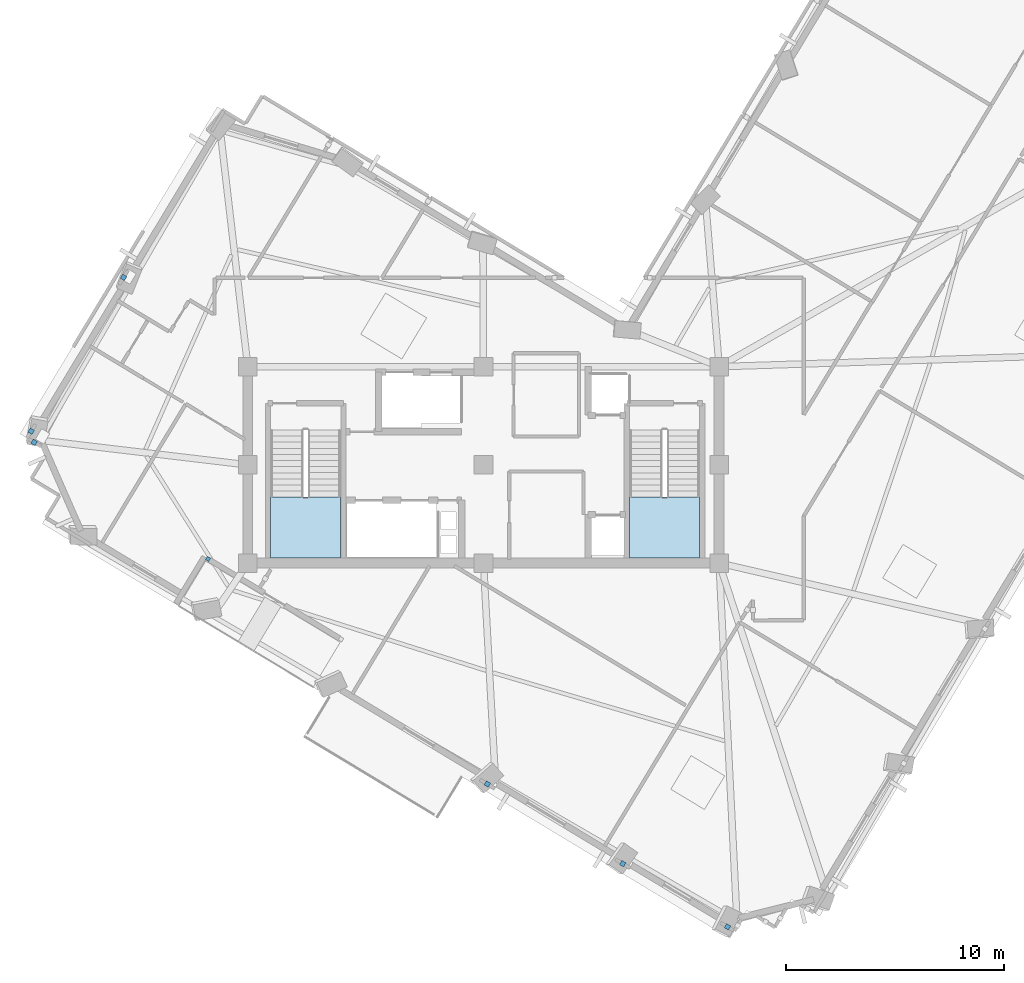
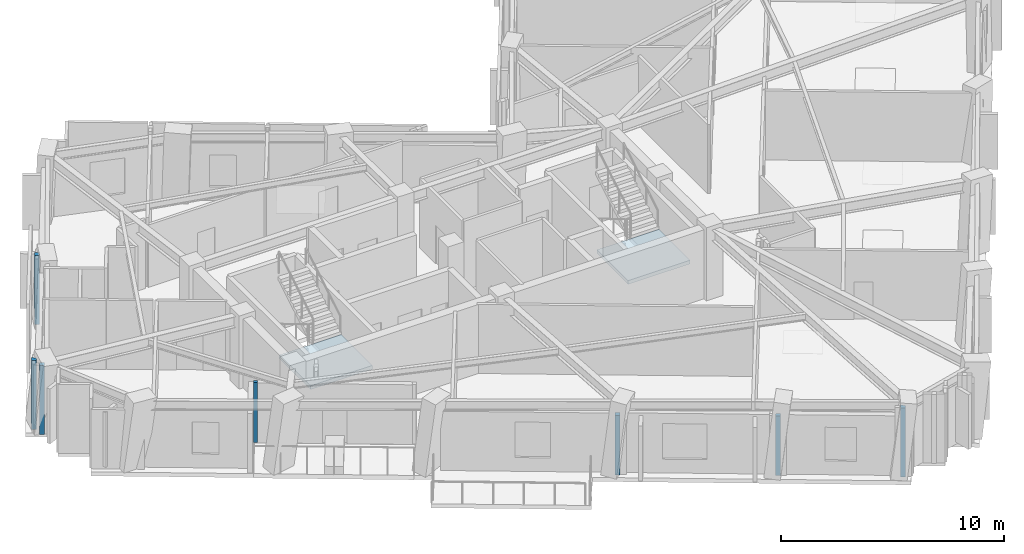
# One storey, part 3 of 12: 7 plates, 2 slabs, 2 elements without a shape of their own.
"""IFC4 building model written with IfcOpenShell, lengths in metres."""

import ifcopenshell
import ifcopenshell.guid

model = None  # the IFC model being written
_history = None  # IfcOwnerHistory: only IFC2X3 demands one
_inside = {}  # id of a spatial element -> (the spatial element, [elements in it])
_under = {}  # id of a project, library or spatial element -> (it, [spatial elements below it])
_declared = {}  # id of a project -> (the project, [libraries it declares])
_typed = {}  # id of a type object -> (the type object, [elements of that type])
_made_of = {}  # id of a material, layer set ... -> (it, [elements and type objects made of it])


def new_model(schema):
    """Start an empty IFC model of exactly this schema.

    Asked for "IFC4X3", IfcOpenShell would pick the latest addendum, in which some entities
    have other attributes; the version numbers below select the first issue.
    IFC2X3 requires an IfcOwnerHistory on every rooted entity: one is made here for all.
    """
    global model, _history
    if schema == "IFC4X3":
        model = ifcopenshell.file(schema_version=(4, 3, 0, 0))
    else:
        model = ifcopenshell.file(schema=schema)
    _inside.clear()
    _under.clear()
    _declared.clear()
    _typed.clear()
    _made_of.clear()
    _history = None
    if model.schema == "IFC2X3":
        org = make("IfcOrganization", Name="unknown")
        user = make(
            "IfcPersonAndOrganization",
            ThePerson=make("IfcPerson", FamilyName="unknown"),
            TheOrganization=org,
        )
        app = make(
            "IfcApplication",
            ApplicationDeveloper=org,
            Version="unknown",
            ApplicationFullName="unknown",
            ApplicationIdentifier="unknown",
        )
        _history = make(
            "IfcOwnerHistory",
            OwningUser=user,
            OwningApplication=app,
            ChangeAction="ADDED",
            CreationDate=0,
        )
    return model


def make(cls, **values):
    """One entity of the class cls with the attributes given. An attribute that is None is left unset."""
    return model.create_entity(
        cls, **{name: value for name, value in values.items() if value is not None}
    )


def rooted(cls, **values):
    """An entity with a GlobalId (a new one), such as an element, a storey or a relation."""
    return make(cls, GlobalId=ifcopenshell.guid.new(), OwnerHistory=_history, **values)


def si_unit(unit_type, name, prefix=None):
    """IfcSIUnit, for example si_unit("LENGTHUNIT", "METRE", prefix="MILLI")."""
    return make("IfcSIUnit", UnitType=unit_type, Prefix=prefix, Name=name)


def assignment(units):
    """IfcUnitAssignment: the units of a project."""
    return None if units is None else make("IfcUnitAssignment", Units=units)


def point(xyz):
    """IfcCartesianPoint."""
    return None if xyz is None else make("IfcCartesianPoint", Coordinates=xyz)


def direction(xyz):
    """IfcDirection."""
    return None if xyz is None else make("IfcDirection", DirectionRatios=xyz)


def frame(location, z_axis=None, x_axis=None):
    """IfcAxis2Placement3D, a coordinate frame: its origin and axes. An axis left out is left unset."""
    return make(
        "IfcAxis2Placement3D",
        Location=point(location),
        Axis=direction(z_axis),
        RefDirection=direction(x_axis),
    )


def frame_2d(location, x_axis=None):
    """IfcAxis2Placement2D, a coordinate frame in the plane: its origin and x axis."""
    return make(
        "IfcAxis2Placement2D", Location=point(location), RefDirection=direction(x_axis)
    )


def origin():
    """The frame at (0, 0, 0) with its axes left unset."""
    return frame((0.0, 0.0, 0.0))


def origin_2d():
    """The frame at (0, 0) in the plane with its x axis left unset."""
    return frame_2d((0.0, 0.0))


def place(relative_to, where):
    """IfcLocalPlacement: puts the frame where relative to a parent placement (None: the world)."""
    return make(
        "IfcLocalPlacement", PlacementRelTo=relative_to, RelativePlacement=where
    )


def context(
    kind, dimensions, precision=None, world=None, true_north=None, identifier=None
):
    """IfcGeometricRepresentationContext, for example the 3D "Model" context."""
    return make(
        "IfcGeometricRepresentationContext",
        ContextIdentifier=identifier,
        ContextType=kind,
        CoordinateSpaceDimension=dimensions,
        Precision=precision,
        WorldCoordinateSystem=world,
        TrueNorth=true_north,
    )


def subcontext(parent, identifier, kind, view, scale=None):
    """IfcGeometricRepresentationSubContext, for example "Body" below "Model"."""
    return make(
        "IfcGeometricRepresentationSubContext",
        ContextIdentifier=identifier,
        ContextType=kind,
        ParentContext=parent,
        TargetScale=scale,
        TargetView=view,
    )


def project(units=None, contexts=None):
    """IfcProject with its units and contexts."""
    return rooted(
        "IfcProject",
        Name="project",
        RepresentationContexts=contexts,
        UnitsInContext=assignment(units),
    )


def spatial(cls, under=None, at=None, **own):
    """A site, building, storey or space (cls), placed at a placement, below another one or the project."""
    s = rooted(cls, ObjectPlacement=at, **own)
    if under is not None:
        _under.setdefault(under.id(), (under, []))[1].append(s)
    return s


def polyline(points):
    """IfcPolyline through the points."""
    return make("IfcPolyline", Points=[point(p) for p in points])


def profile(cls, at=None, kind="AREA", **sizes):
    """A parametric profile (cls). Its sizes go by their IFC names, for example OverallWidth=200.0."""
    return make(cls, ProfileType=kind, Position=at, **sizes)


def rectangle(**sizes):
    """IfcRectangleProfileDef."""
    return profile("IfcRectangleProfileDef", **sizes)


def outline(outer, holes=None, kind="AREA"):
    """IfcArbitraryClosedProfileDef: a profile drawn as a closed curve; with holes, ...WithVoids."""
    if holes is None:
        return make("IfcArbitraryClosedProfileDef", ProfileType=kind, OuterCurve=outer)
    return make(
        "IfcArbitraryProfileDefWithVoids",
        ProfileType=kind,
        OuterCurve=outer,
        InnerCurves=holes,
    )


def extrude(swept, where, along, depth):
    """IfcExtrudedAreaSolid: the profile swept, set in the frame where, extruded along a direction by depth."""
    return make(
        "IfcExtrudedAreaSolid",
        SweptArea=swept,
        Position=where,
        ExtrudedDirection=direction(along),
        Depth=depth,
    )


def shape(context_of_items, identifier, shape_type, items):
    """IfcShapeRepresentation: the items that make up one representation, for example the "Body"."""
    return make(
        "IfcShapeRepresentation",
        ContextOfItems=context_of_items,
        RepresentationIdentifier=identifier,
        RepresentationType=shape_type,
        Items=items,
    )


def material(Name=None, Category=None):
    """IfcMaterial."""
    return make("IfcMaterial", Name=Name, Category=Category)


def layer(
    of_material, thickness, ventilated=None, Name=None, Category=None, Priority=None
):
    """IfcMaterialLayer: one layer of a wall or slab, of a material (None: an air gap)."""
    return make(
        "IfcMaterialLayer",
        Material=of_material,
        LayerThickness=thickness,
        IsVentilated=ventilated,
        Name=Name,
        Category=Category,
        Priority=Priority,
    )


def layer_set(layers, Name=None):
    """IfcMaterialLayerSet."""
    return make("IfcMaterialLayerSet", MaterialLayers=layers, LayerSetName=Name)


def made_of(thing, what):
    """Note that an element or type object is made of a material, layer set ...; save() writes the relation."""
    if what is not None:
        _made_of.setdefault(what.id(), (what, []))[1].append(thing)
    return thing


def type_object(cls, material=None, **own):
    """A type object (cls), such as IfcWallType, which elements share."""
    return made_of(rooted(cls, **own), material)


def element(
    cls,
    number,
    at=None,
    inside=None,
    cuts=None,
    type_object=None,
    material=None,
    context=None,
    identifier="Body",
    shape_type=None,
    held_by="IfcProductDefinitionShape",
    body=None,
    shapes=None,
    **own,
):
    """One element of the class cls, such as IfcWall. Its Tag is "e" and its number.

    at: its placement. inside: the storey or other place that contains it. cuts: it is an
    opening in that element (IfcRelVoidsElement). A single representation is given by context,
    identifier, shape_type and body (its items); several are given by shapes. held_by: the class
    of the entity that holds the representations. save() writes the other relations.
    """
    e = rooted(cls, Tag="e%d" % number, ObjectPlacement=at, **own)
    if body is not None:
        shapes = [shape(context, identifier, shape_type, body)]
    if shapes is not None:
        e.Representation = make(held_by, Representations=shapes)
    if inside is not None:
        _inside.setdefault(inside.id(), (inside, []))[1].append(e)
    if cuts is not None:
        rooted(
            "IfcRelVoidsElement", RelatingBuildingElement=cuts, RelatedOpeningElement=e
        )
    if type_object is not None:
        _typed.setdefault(type_object.id(), (type_object, []))[1].append(e)
    return made_of(e, material)


def aggregate(whole, parts):
    """IfcRelAggregates: a whole, such as a stair, and the parts it consists of."""
    return rooted("IfcRelAggregates", RelatingObject=whole, RelatedObjects=parts)


def save(model, path):
    """Write the relations noted so far, then the file.

    IfcRelAggregates (storeys below a building ...), IfcRelContainedInSpatialStructure (elements
    in a storey), IfcRelDefinesByType, IfcRelAssociatesMaterial and IfcRelDeclares: one each for
    every whole, place, type object, material and project.
    """
    for whole, parts in _under.values():
        aggregate(whole, parts)
    for where, things in _inside.values():
        rooted(
            "IfcRelContainedInSpatialStructure",
            RelatedElements=things,
            RelatingStructure=where,
        )
    for kind, things in _typed.values():
        rooted("IfcRelDefinesByType", RelatedObjects=things, RelatingType=kind)
    for what, things in _made_of.values():
        rooted("IfcRelAssociatesMaterial", RelatedObjects=things, RelatingMaterial=what)
    for by, libraries in _declared.values():
        rooted("IfcRelDeclares", RelatingContext=by, RelatedDefinitions=libraries)
    model.write(path)


model = new_model("IFC4")

# Units and contexts
model_context = context("Model", 3, precision=1e-05, world=origin(), true_north=direction((0.0, 1.0)))
body_context = subcontext(model_context, "Body", "Model", "MODEL_VIEW")
ifc_project = project(units=[si_unit("LENGTHUNIT", "METRE"), si_unit("AREAUNIT", "SQUARE_METRE"), si_unit("VOLUMEUNIT", "CUBIC_METRE"), si_unit("PLANEANGLEUNIT", "RADIAN"), si_unit("MASSUNIT", "GRAM", prefix="KILO")], contexts=[model_context])

# Site, building, storey
site_placement = place(None, origin())
site = spatial("IfcSite", under=ifc_project, at=site_placement, CompositionType="ELEMENT")
building_placement = place(site_placement, origin())
building = spatial("IfcBuilding", under=site, at=building_placement, Name="Gaonmaruhae Medical Tower", CompositionType="ELEMENT")
storey_placement = place(building_placement, frame((0.0, 0.0, 276.60009765625)))
storey = spatial("IfcBuildingStorey", under=building, at=storey_placement, Name="L66", CompositionType="ELEMENT", Elevation=276.60009765625)

# Plates
ifc_material_1 = material(Name="Anodised aluminium 6063-T6", Category="aluminium")
ifc_layer_1 = layer(ifc_material_1, 0.011962890625)
ifc_layer_set_1 = layer_set([ifc_layer_1], Name="Anodised aluminium 6063-T6")
plate_type = type_object("IfcPlateType", Name="PP-01 Interior Partition Corner Stiffener Plate", PredefinedType="SHEET", material=ifc_layer_set_1)
plate_1_placement = place(storey_placement, frame((12.177490234375, 7.989013671875, 0.0), z_axis=(0.0, 0.0, 1.0), x_axis=(-0.8562670846, 0.516533328867, 0.0)))
element("IfcPlate", 1, at=plate_1_placement, inside=storey, type_object=plate_type, Name="L66 Partition End Jamb Post Plate PLT-L66-ENDP-TERB-1", PredefinedType="SHEET", context=body_context, shape_type="SweptSolid", body=[
    extrude(rectangle(XDim=0.179931640625, YDim=0.179931640625, at=origin_2d()), origin(), (0.0, 0.0, 1.0), 3.264892578125),
])
plate_2_placement = place(storey_placement, frame((35.982421875, -8.869384765625, 0.0), z_axis=(0.0, 0.0, 1.0), x_axis=(-0.856050644512, 0.516891955858, 0.0)))
element("IfcPlate", 2, at=plate_2_placement, inside=storey, type_object=plate_type, Name="L66 Partition Corner Stiffener Plate PLT-L66-JGP-PW010", PredefinedType="SHEET", context=body_context, shape_type="SweptSolid", body=[
    extrude(rectangle(XDim=0.219970703125, YDim=0.219970703125, at=origin_2d()), origin(), (0.0, 0.0, 1.0), 3.780029296875),
])
for number, where, z_axis, x_axis, name in (
    (3, (31.18310546875, -5.97509765625, 0.0), (0.0, 0.0, 1.0), (-0.855870163032, 0.517190742408, 0.0), "L66 Partition Corner Stiffener Plate PLT-L66-JGP-PW011"),
    (4, (24.97705078125, -2.324462890625, 0.0), (0.0, 0.0, 1.0), (-0.856032601057, 0.516921837348, 0.0), "L66 Partition Corner Stiffener Plate PLT-L66-JGP-PW037"),
):
    element("IfcPlate", number, at=place(storey_placement, frame(where, z_axis=z_axis, x_axis=x_axis)), inside=storey, type_object=plate_type, Name=name, PredefinedType="SHEET", context=body_context, shape_type="SweptSolid", body=[
        extrude(rectangle(XDim=0.219970703125, YDim=0.219970703125, at=origin_2d()), origin(), (0.0, 0.0, 1.0), 3.264892578125),
    ])
for number, where, z_axis, x_axis, name in (
    (5, (4.2080078125, 13.33447265625, 0.0), (0.0, 0.0, 1.0), (-0.856429316074, 0.516264299143, 0.0), "L66 Partition Corner Stiffener Plate PLT-L66-JGP-PW043"),
    (6, (4.075927734375, 13.841064453125, 0.0), (0.0, 0.0, 1.0), (0.516906896682, 0.856041622915, 0.0), "L66 Partition Corner Stiffener Plate PLT-L66-JGP-PW044"),
    (7, (8.306396484375, 20.89306640625, 0.0), (0.0, 0.0, 1.0), (0.515486816038, 0.85689750991, 0.0), "L66 Partition Corner Stiffener Plate PLT-L66-JGP-PW072"),
):
    element("IfcPlate", number, at=place(storey_placement, frame(where, z_axis=z_axis, x_axis=x_axis)), inside=storey, type_object=plate_type, Name=name, PredefinedType="SHEET", context=body_context, shape_type="SweptSolid", body=[
        extrude(rectangle(XDim=0.219970703125, YDim=0.219970703125, at=origin_2d()), origin(), (0.0, 0.0, 1.0), 3.780029296875),
    ])

# Stair, slab
ifc_material_2 = material(Name="Concrete C40/50", Category="concrete")
stair_type = type_object("IfcStairType", Name="ST-T1 Primary Core Escape Dogleg Stair", PredefinedType="TWO_QUARTER_TURN_STAIR", material=ifc_material_2)
stair_1_placement = place(storey_placement, origin())
stair_1 = element("IfcStair", 8, at=stair_1_placement, inside=storey, type_object=stair_type, Name="L66 Protected Escape Stair ST-01", PredefinedType="TWO_QUARTER_TURN_STAIR")
ifc_layer_2 = layer(ifc_material_2, 0.199951171875)
ifc_layer_set_2 = layer_set([ifc_layer_2], Name="Concrete C40/50")
slab_type = type_object("IfcSlabType", Name="SL-200 Stair & Ramp Intermediate Concrete Landing", PredefinedType="LANDING", material=ifc_layer_set_2)
slab_1_placement = place(storey_placement, frame((0.0, 0.0, 1.7998046875)))
slab_1 = element("IfcSlab", 9, at=slab_1_placement, type_object=slab_type, Name="ST-01 landing 1", PredefinedType="LANDING", context=body_context, shape_type="SweptSolid", body=[
    extrude(outline(polyline([(15.050048828125, 10.820068359375), (15.050048828125, 8.029052734375), (18.25, 8.029052734375), (18.25, 10.820068359375), (15.050048828125, 10.820068359375)])), origin(), (0.0, 0.0, 1.0), 0.2001953125),
])
aggregate(stair_1, [slab_1])

stair_2_placement = place(storey_placement, origin())
stair_2 = element("IfcStair", 10, at=stair_2_placement, inside=storey, type_object=stair_type, Name="L66 Protected Escape Stair ST-02", PredefinedType="TWO_QUARTER_TURN_STAIR")
slab_2_placement = place(storey_placement, frame((0.0, 0.0, 1.7998046875)))
slab_2 = element("IfcSlab", 11, at=slab_2_placement, type_object=slab_type, Name="ST-02 landing 1", PredefinedType="LANDING", context=body_context, shape_type="SweptSolid", body=[
    extrude(outline(polyline([(31.5, 10.820068359375), (31.5, 8.029052734375), (34.699951171875, 8.029052734375), (34.699951171875, 10.820068359375), (31.5, 10.820068359375)])), origin(), (0.0, 0.0, 1.0), 0.2001953125),
])
aggregate(stair_2, [slab_2])

save(model, "model.ifc")
